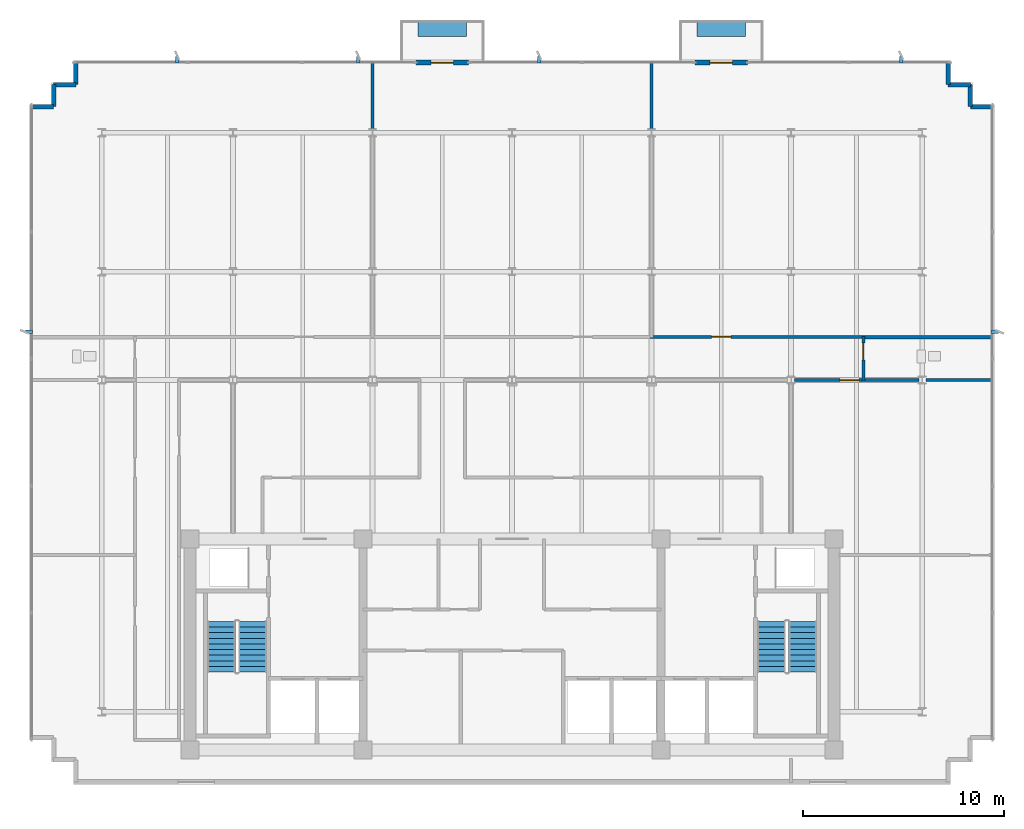
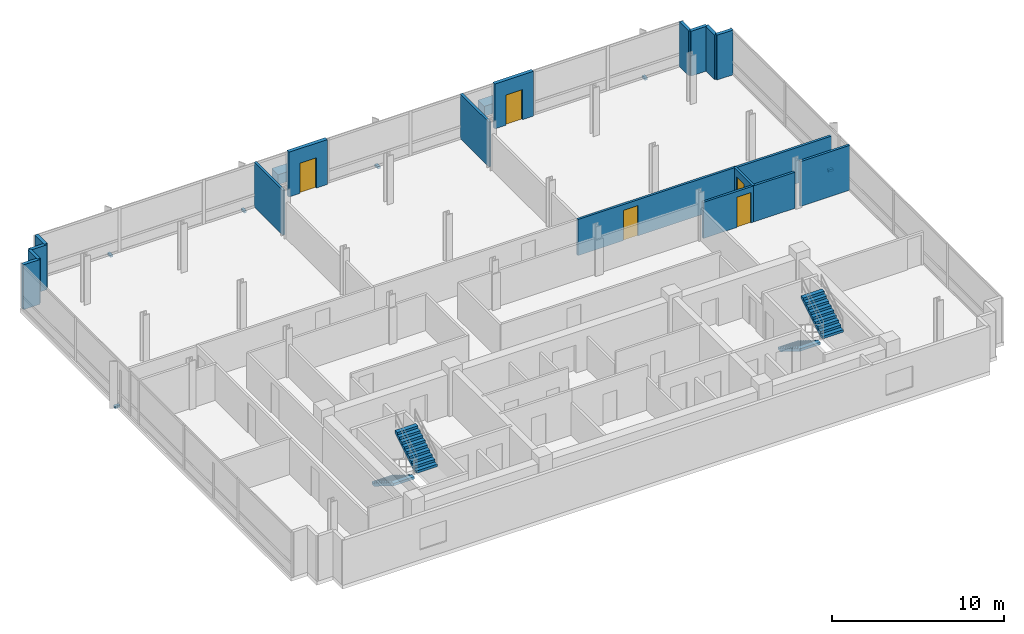
# One storey, part 10 of 13: 18 walls, 8 discrete accessories, 5 doors, 4 stair flights, 5 openings, 2 elements without a shape of their own.
"""IFC4 building model written with IfcOpenShell, lengths in metres."""

from ifc_helpers import new_model, si_unit, direction, frame, frame_2d, origin, origin_2d, place, context, subcontext, project, spatial, polyline, rectangle, outline, extrude, material, layer, layer_set, type_object, element, fill, aggregate, save


model = new_model("IFC4")

# Units and contexts
model_context = context("Model", 3, precision=1e-05, world=origin(), true_north=direction((0.0, 1.0)))
body_context = subcontext(model_context, "Body", "Model", "MODEL_VIEW")
ifc_project = project(units=[si_unit("LENGTHUNIT", "METRE"), si_unit("AREAUNIT", "SQUARE_METRE"), si_unit("VOLUMEUNIT", "CUBIC_METRE"), si_unit("PLANEANGLEUNIT", "RADIAN"), si_unit("MASSUNIT", "GRAM", prefix="KILO")], contexts=[model_context])

# Site, building, storey
site_placement = place(None, origin())
site = spatial("IfcSite", under=ifc_project, at=site_placement, CompositionType="ELEMENT")
building_placement = place(site_placement, origin())
building = spatial("IfcBuilding", under=site, at=building_placement, Name="Solmavex Isthmus Hotel", CompositionType="ELEMENT")
storey_placement = place(building_placement, frame((0.0, 0.0, 276.449951171875)))
storey = spatial("IfcBuildingStorey", under=building, at=storey_placement, Name="L75", CompositionType="ELEMENT", Elevation=276.449951171875)

# Wall, opening, door
ifc_material_1 = material(Name="Precast Concrete C40/50", Category="concrete")
ifc_layer_1 = layer(ifc_material_1, 0.25)
ifc_layer_set_1 = layer_set([ifc_layer_1], Name="Precast Concrete C40/50")
wall_type_1 = type_object("IfcWallType", Name="EW-TWR-250", PredefinedType="STANDARD", material=ifc_layer_set_1)
wall_1_placement = place(storey_placement, frame((-4.76806640625, 21.179931640625, 0.0), z_axis=(0.0, 0.0, 1.0), x_axis=(1.0, 0.0, 0.0)))
wall_1 = element("IfcWall", 1, at=wall_1_placement, inside=storey, type_object=wall_type_1, Name="Exterior Balcony Door Wall L75-2", PredefinedType="STANDARD", context=body_context, shape_type="SweptSolid", body=[
    extrude(rectangle(XDim=2.60009765625, YDim=0.239990234375, at=frame_2d((1.300048828125, 0.0))), origin(), (0.0, 0.0, 1.0), 3.18994140625),
])
opening_1_placement = place(wall_1_placement, frame((0.75, 0.0, 0.0)))
opening_1 = element("IfcOpeningElement", 2, at=opening_1_placement, cuts=wall_1, Name="Opening ED-02", PredefinedType="OPENING", context=body_context, shape_type="SweptSolid", body=[
    extrude(rectangle(XDim=1.10009765625, YDim=2.14990234375, at=frame_2d((0.550048828125, 1.074951171875))), frame((0.0, 0.1298828125, 0.0), z_axis=(0.0, -1.0, 0.0), x_axis=(1.0, 0.0, 0.0)), (0.0, 0.0, 1.0), 0.260009765625),
])
ifc_material_2 = material(Name="Aluminium alloy 6063-T6", Category="aluminium")
door_type_1 = type_object("IfcDoorType", Name="EDR-BALC-1100", OperationType="NOTDEFINED", PredefinedType="DOOR", material=ifc_material_2)
door_1_placement = place(opening_1_placement, origin())
door_1 = element("IfcDoor", 3, at=door_1_placement, inside=storey, type_object=door_type_1, Name="Balcony & Terrace Glazed Door L75-2", OperationType="SINGLE_SWING_RIGHT", OverallHeight=2.14990234375, OverallWidth=1.10009765625, PredefinedType="DOOR", context=body_context, shape_type="SweptSolid", body=[
    extrude(rectangle(XDim=1.10009765625, YDim=2.14990234375, at=frame_2d((0.550048828125, 1.074951171875))), frame((0.0, 0.02490234375, 0.0), z_axis=(0.0, -1.0, 0.0), x_axis=(1.0, 0.0, 0.0)), (0.0, 0.0, 1.0), 0.050048828125),
])
fill(opening_1, door_1)

wall_2_placement = place(storey_placement, frame((9.10400390625, 21.179931640625, 0.0), z_axis=(0.0, 0.0, 1.0), x_axis=(1.0, 0.0, 0.0)))
wall_2 = element("IfcWall", 4, at=wall_2_placement, inside=storey, type_object=wall_type_1, Name="Exterior Balcony Door Wall L75-3", PredefinedType="STANDARD", context=body_context, shape_type="SweptSolid", body=[
    extrude(rectangle(XDim=2.60009765625, YDim=0.239990234375, at=frame_2d((1.300048828125, 0.0))), origin(), (0.0, 0.0, 1.0), 3.18994140625),
])
opening_2_placement = place(wall_2_placement, frame((0.75, 0.0, 0.0)))
opening_2 = element("IfcOpeningElement", 5, at=opening_2_placement, cuts=wall_2, Name="Opening ED-02", PredefinedType="OPENING", context=body_context, shape_type="SweptSolid", body=[
    extrude(rectangle(XDim=1.10009765625, YDim=2.14990234375, at=frame_2d((0.550048828125, 1.074951171875))), frame((0.0, 0.1298828125, 0.0), z_axis=(0.0, -1.0, 0.0), x_axis=(1.0, 0.0, 0.0)), (0.0, 0.0, 1.0), 0.260009765625),
])
door_2_placement = place(opening_2_placement, origin())
door_2 = element("IfcDoor", 6, at=door_2_placement, inside=storey, type_object=door_type_1, Name="Balcony & Terrace Glazed Door L75-3", OperationType="SINGLE_SWING_LEFT", OverallHeight=2.14990234375, OverallWidth=1.10009765625, PredefinedType="DOOR", context=body_context, shape_type="SweptSolid", body=[
    extrude(rectangle(XDim=1.10009765625, YDim=2.14990234375, at=frame_2d((0.550048828125, 1.074951171875))), frame((0.0, 0.02490234375, 0.0), z_axis=(0.0, -1.0, 0.0), x_axis=(1.0, 0.0, 0.0)), (0.0, 0.0, 1.0), 0.050048828125),
])
fill(opening_2, door_2)

# Walls
wall_3_placement = place(storey_placement, frame((-23.889892578125, 18.989990234375, 0.0), z_axis=(0.0, 0.0, 1.0), x_axis=(1.0, 0.0, 0.0)))
element("IfcWall", 7, at=wall_3_placement, inside=storey, type_object=wall_type_1, Name="Serrated Corner Facade Panel L75-06", PredefinedType="STANDARD", context=body_context, shape_type="SweptSolid", body=[
    extrude(rectangle(XDim=1.099853515625, YDim=0.219970703125, at=frame_2d((0.5498046875, 0.0))), origin(), (0.0, 0.0, 1.0), 3.18994140625),
])
for number, where, z_axis, x_axis, name in (
    (8, (-22.7900390625, 18.989990234375, 0.0), (0.0, 0.0, 1.0), (0.0, 1.0, 0.0), "Serrated Corner Facade Panel L75-07"),
    (9, (-22.7900390625, 20.090087890625, 0.0), (0.0, 0.0, 1.0), (1.0, 0.0, 0.0), "Serrated Corner Facade Panel L75-08"),
):
    element("IfcWall", number, at=place(storey_placement, frame(where, z_axis=z_axis, x_axis=x_axis)), inside=storey, type_object=wall_type_1, Name=name, PredefinedType="STANDARD", context=body_context, shape_type="SweptSolid", body=[
        extrude(rectangle(XDim=1.10009765625, YDim=0.219970703125, at=frame_2d((0.550048828125, 0.0))), origin(), (0.0, 0.0, 1.0), 3.18994140625),
    ])
for number, where, z_axis, x_axis, name in (
    (10, (-21.68994140625, 20.090087890625, 0.0), (0.0, 0.0, 1.0), (0.0, 1.0, 0.0), "Serrated Corner Facade Panel L75-09"),
    (11, (21.68994140625, 21.18994140625, 0.0), (0.0, 0.0, 1.0), (0.0, -1.0, 0.0), "Serrated Corner Facade Panel L75-11"),
):
    element("IfcWall", number, at=place(storey_placement, frame(where, z_axis=z_axis, x_axis=x_axis)), inside=storey, type_object=wall_type_1, Name=name, PredefinedType="STANDARD", context=body_context, shape_type="SweptSolid", body=[
        extrude(rectangle(XDim=1.099853515625, YDim=0.219970703125, at=frame_2d((0.5498046875, 0.0))), origin(), (0.0, 0.0, 1.0), 3.18994140625),
    ])
for number, where, z_axis, x_axis, name in (
    (12, (21.68994140625, 20.090087890625, 0.0), (0.0, 0.0, 1.0), (1.0, 0.0, 0.0), "Serrated Corner Facade Panel L75-12"),
    (13, (22.7900390625, 20.090087890625, 0.0), (0.0, 0.0, 1.0), (0.0, -1.0, 0.0), "Serrated Corner Facade Panel L75-13"),
):
    element("IfcWall", number, at=place(storey_placement, frame(where, z_axis=z_axis, x_axis=x_axis)), inside=storey, type_object=wall_type_1, Name=name, PredefinedType="STANDARD", context=body_context, shape_type="SweptSolid", body=[
        extrude(rectangle(XDim=1.10009765625, YDim=0.219970703125, at=frame_2d((0.550048828125, 0.0))), origin(), (0.0, 0.0, 1.0), 3.18994140625),
    ])
wall_4_placement = place(storey_placement, frame((22.7900390625, 18.989990234375, 0.0), z_axis=(0.0, 0.0, 1.0), x_axis=(1.0, 0.0, 0.0)))
element("IfcWall", 14, at=wall_4_placement, inside=storey, type_object=wall_type_1, Name="Serrated Corner Facade Panel L75-14", PredefinedType="STANDARD", context=body_context, shape_type="SweptSolid", body=[
    extrude(rectangle(XDim=1.099853515625, YDim=0.219970703125, at=frame_2d((0.5498046875, 0.0))), origin(), (0.0, 0.0, 1.0), 3.18994140625),
])
ifc_material_3 = material(Name="Gypsum plasterboard lining", Category="gypsum")
ifc_layer_2 = layer(ifc_material_3, 0.159912109375)
ifc_layer_set_2 = layer_set([ifc_layer_2], Name="Gypsum plasterboard lining")
wall_type_2 = type_object("IfcWallType", Name="IW-COMP-160", PredefinedType="PARTITIONING", material=ifc_layer_set_2)
for number, where, z_axis, x_axis, name in (
    (15, (-6.93603515625, 21.219970703125, 0.0), (0.0, 0.0, 1.0), (0.0, -1.0, 0.0), "Interior Partition Wall W-L75-P029"),
    (16, (6.93603515625, 21.219970703125, 0.0), (0.0, 0.0, 1.0), (0.0, -1.0, 0.0), "Interior Partition Wall W-L75-P033"),
):
    element("IfcWall", number, at=place(storey_placement, frame(where, z_axis=z_axis, x_axis=x_axis)), inside=storey, type_object=wall_type_2, Name=name, PredefinedType="PARTITIONING", context=body_context, shape_type="SweptSolid", body=[
        extrude(rectangle(XDim=3.344970703125, YDim=0.159912109375, at=frame_2d((1.67236328125, 0.0))), origin(), (0.0, 0.0, 1.0), 3.18994140625),
    ])
wall_5_placement = place(storey_placement, frame((23.919921875, 7.530029296875, 0.0), z_axis=(0.0, 0.0, 1.0), x_axis=(-1.0, 0.0, 0.0)))
element("IfcWall", 17, at=wall_5_placement, inside=storey, type_object=wall_type_2, Name="Interior Partition Wall W-L75-P034", PredefinedType="PARTITIONING", context=body_context, shape_type="SweptSolid", body=[
    extrude(rectangle(XDim=6.488037109375, YDim=0.159912109375, at=frame_2d((3.244140625, 0.0))), origin(), (0.0, 0.0, 1.0), 2.5576171875),
])
wall_6_placement = place(storey_placement, frame((20.22509765625, 5.39990234375, 0.0), z_axis=(0.0, 0.0, 1.0), x_axis=(-1.0, 0.0, 0.0)))
element("IfcWall", 18, at=wall_6_placement, inside=storey, type_object=wall_type_2, Name="Interior Partition Wall W-L75-P037", PredefinedType="PARTITIONING", context=body_context, shape_type="SweptSolid", body=[
    extrude(rectangle(XDim=2.793212890625, YDim=0.159912109375, at=frame_2d((1.396484375, 0.0))), origin(), (0.0, 0.0, 1.0), 2.572265625),
])
wall_7_placement = place(storey_placement, frame((23.919921875, 5.39990234375, 0.0), z_axis=(0.0, 0.0, 1.0), x_axis=(-1.0, 0.0, 0.0)))
element("IfcWall", 19, at=wall_7_placement, inside=storey, type_object=wall_type_2, Name="Interior Partition Wall W-L75-P038", PredefinedType="PARTITIONING", context=body_context, shape_type="SweptSolid", body=[
    extrude(rectangle(XDim=3.344970703125, YDim=0.159912109375, at=frame_2d((1.67236328125, 0.0))), origin(), (0.0, 0.0, 1.0), 3.18994140625),
])

# Wall, opening, door
ifc_layer_3 = layer(ifc_material_3, 0.14990234375)
ifc_layer_set_3 = layer_set([ifc_layer_3], Name="Gypsum plasterboard lining")
wall_type_3 = type_object("IfcWallType", Name="IW-CORR-150", PredefinedType="PARTITIONING", material=ifc_layer_set_3)
wall_8_placement = place(storey_placement, frame((6.85400390625, 7.550048828125, 0.0), z_axis=(0.0, 0.0, 1.0), x_axis=(1.0, 0.0, 0.0)))
wall_8 = element("IfcWall", 20, at=wall_8_placement, inside=storey, type_object=wall_type_3, Name="Interior Partition Wall W-L75-P003", PredefinedType="PARTITIONING", context=body_context, shape_type="SweptSolid", body=[
    extrude(rectangle(XDim=10.657958984375, YDim=0.14990234375, at=frame_2d((5.3291015625, 0.0))), origin(), (0.0, 0.0, 1.0), 2.572265625),
])
opening_3_placement = place(wall_8_placement, frame((3.076904296875, 0.0, 0.0)))
opening_3 = element("IfcOpeningElement", 21, at=opening_3_placement, cuts=wall_8, Name="Opening ID-C095", PredefinedType="OPENING", context=body_context, shape_type="SweptSolid", body=[
    extrude(rectangle(XDim=0.949951171875, YDim=2.14990234375, at=frame_2d((0.47509765625, 1.074951171875))), frame((0.0, 0.0849609375, 0.0), z_axis=(0.0, -1.0, 0.0), x_axis=(1.0, 0.0, 0.0)), (0.0, 0.0, 1.0), 0.169921875),
])
ifc_material_4 = material(Name="Hardwood timber", Category="wood")
door_type_2 = type_object("IfcDoorType", Name="IDR-FD60-0950", OperationType="NOTDEFINED", PredefinedType="DOOR", material=ifc_material_4)
door_3_placement = place(opening_3_placement, origin())
door_3 = element("IfcDoor", 22, at=door_3_placement, inside=storey, type_object=door_type_2, Name="Corporate Briefing Office Door L75-03", OperationType="SINGLE_SWING_LEFT", OverallHeight=2.14990234375, OverallWidth=0.949951171875, PredefinedType="DOOR", context=body_context, shape_type="SweptSolid", body=[
    extrude(rectangle(XDim=0.949951171875, YDim=2.14990234375, at=frame_2d((0.47509765625, 1.074951171875))), frame((0.0, 0.02490234375, 0.0), z_axis=(0.0, -1.0, 0.0), x_axis=(1.0, 0.0, 0.0)), (0.0, 0.0, 1.0), 0.050048828125),
])
fill(opening_3, door_3)

wall_9_placement = place(storey_placement, frame((17.471923828125, 7.570068359375, 0.0), z_axis=(0.0, 0.0, 1.0), x_axis=(0.0, -1.0, 0.0)))
wall_9 = element("IfcWall", 23, at=wall_9_placement, inside=storey, type_object=wall_type_3, Name="Interior Partition Wall W-L75-P005", PredefinedType="PARTITIONING", context=body_context, shape_type="SweptSolid", body=[
    extrude(rectangle(XDim=2.2099609375, YDim=0.14990234375, at=frame_2d((1.10498046875, 0.0))), origin(), (0.0, 0.0, 1.0), 2.572265625),
])
opening_4_placement = place(wall_9_placement, frame((0.322265625, 0.0, 0.0)))
opening_4 = element("IfcOpeningElement", 24, at=opening_4_placement, cuts=wall_9, Name="Opening ID-R085", PredefinedType="OPENING", context=body_context, shape_type="SweptSolid", body=[
    extrude(rectangle(XDim=0.85009765625, YDim=2.050048828125, at=frame_2d((0.425048828125, 1.02490234375))), frame((0.0, 0.0849609375, 0.0), z_axis=(0.0, -1.0, 0.0), x_axis=(1.0, 0.0, 0.0)), (0.0, 0.0, 1.0), 0.169921875),
])
ifc_material_5 = material(Name="Steel ASTM A500 Grade C", Category="steel")
door_type_3 = type_object("IfcDoorType", Name="IDR-FD60-0850", OperationType="NOTDEFINED", PredefinedType="DOOR", material=ifc_material_5)
door_4_placement = place(opening_4_placement, frame((0.85009765625, 0.0, 0.0), z_axis=(0.0, 0.0, 1.0), x_axis=(-1.0, 0.0, 0.0)))
door_4 = element("IfcDoor", 25, at=door_4_placement, inside=storey, type_object=door_type_3, Name="Public Restroom WC Door L75-05", OperationType="SINGLE_SWING_LEFT", OverallHeight=2.050048828125, OverallWidth=0.85009765625, PredefinedType="DOOR", context=body_context, shape_type="SweptSolid", body=[
    extrude(rectangle(XDim=0.85009765625, YDim=2.050048828125, at=frame_2d((0.425048828125, 1.02490234375))), frame((0.0, 0.02490234375, 0.0), z_axis=(0.0, -1.0, 0.0), x_axis=(1.0, 0.0, 0.0)), (0.0, 0.0, 1.0), 0.050048828125),
])
fill(opening_4, door_4)

wall_10_placement = place(storey_placement, frame((17.511962890625, 5.39990234375, 0.0), z_axis=(0.0, 0.0, 1.0), x_axis=(-1.0, 0.0, 0.0)))
wall_10 = element("IfcWall", 26, at=wall_10_placement, inside=storey, type_object=wall_type_3, Name="Interior Partition Wall W-L75-P023", PredefinedType="PARTITIONING", context=body_context, shape_type="SweptSolid", body=[
    extrude(rectangle(XDim=3.46484375, YDim=0.14990234375, at=frame_2d((1.732421875, 0.0))), origin(), (0.0, 0.0, 1.0), 2.572265625),
])
opening_5_placement = place(wall_10_placement, frame((0.26220703125, 0.0, 0.0)))
opening_5 = element("IfcOpeningElement", 27, at=opening_5_placement, cuts=wall_10, Name="Opening ID-C095", PredefinedType="OPENING", context=body_context, shape_type="SweptSolid", body=[
    extrude(rectangle(XDim=0.949951171875, YDim=2.14990234375, at=frame_2d((0.47509765625, 1.074951171875))), frame((0.0, 0.0849609375, 0.0), z_axis=(0.0, -1.0, 0.0), x_axis=(1.0, 0.0, 0.0)), (0.0, 0.0, 1.0), 0.169921875),
])
door_5_placement = place(opening_5_placement, origin())
door_5 = element("IfcDoor", 28, at=door_5_placement, inside=storey, type_object=door_type_2, Name="Catering Servery Kitchen Door L75-10", OperationType="SINGLE_SWING_RIGHT", OverallHeight=2.14990234375, OverallWidth=0.949951171875, PredefinedType="DOOR", context=body_context, shape_type="SweptSolid", body=[
    extrude(rectangle(XDim=0.949951171875, YDim=2.14990234375, at=frame_2d((0.47509765625, 1.074951171875))), frame((0.0, 0.02490234375, 0.0), z_axis=(0.0, -1.0, 0.0), x_axis=(1.0, 0.0, 0.0)), (0.0, 0.0, 1.0), 0.050048828125),
])
fill(opening_5, door_5)

# Stair, stair flights
ifc_material_6 = material(Name="Concrete C40/50", Category="concrete")
stair_type_1 = type_object("IfcStairType", Name="STR-ST-1", PredefinedType="HALF_TURN_STAIR", material=ifc_material_6)
stair_1_placement = place(storey_placement, origin())
stair_1 = element("IfcStair", 29, at=stair_1_placement, inside=storey, type_object=stair_type_1, Name="L75 Protected Exit Stair ST-1", PredefinedType="HALF_TURN_STAIR")
stair_flight_type_1 = type_object("IfcStairFlightType", Name="SFL-ST-1", PredefinedType="STRAIGHT", material=ifc_material_6)
stair_flight_1_placement = place(storey_placement, frame((-14.449951171875, -6.60009765625, 0.0), z_axis=(0.0, 0.0, 1.0), x_axis=(0.0, -1.0, 0.0)))
stair_flight_1 = element("IfcStairFlight", 30, at=stair_flight_1_placement, type_object=stair_flight_type_1, Name="ST-1 flight 1", NumberOfRisers=10, NumberOfTreads=9, PredefinedType="STRAIGHT", RiserHeight=0.1725, TreadLength=0.28, context=body_context, shape_type="SweptSolid", body=[
    extrude(outline(polyline([(0.0, 0.0), (0.0, 0.172607421875), (0.280029296875, 0.172607421875), (0.280029296875, 0.344970703125), (0.56005859375, 0.344970703125), (0.56005859375, 0.517578125), (0.840087890625, 0.517578125), (0.840087890625, 0.68994140625), (1.1201171875, 0.68994140625), (1.1201171875, 0.862548828125), (1.39990234375, 0.862548828125), (1.39990234375, 1.034912109375), (1.679931640625, 1.034912109375), (1.679931640625, 1.20751953125), (1.9599609375, 1.20751953125), (1.9599609375, 1.3798828125), (2.239990234375, 1.3798828125), (2.239990234375, 1.552490234375), (2.52001953125, 1.552490234375), (2.52001953125, 1.72509765625), (2.52001953125, 1.37646484375), (0.285888671875, 0.0), (0.0, 0.0)])), frame((0.0, 0.699951171875, 0.0), z_axis=(0.0, -1.0, 0.0), x_axis=(1.0, 0.0, 0.0)), (0.0, 0.0, 1.0), 1.39990234375),
])
stair_flight_2_placement = place(storey_placement, frame((-12.89990234375, -9.1201171875, 1.72509765625), z_axis=(0.0, 0.0, 1.0), x_axis=(0.0, 1.0, 0.0)))
stair_flight_2 = element("IfcStairFlight", 31, at=stair_flight_2_placement, type_object=stair_flight_type_1, Name="ST-1 flight 2", NumberOfRisers=10, NumberOfTreads=9, PredefinedType="STRAIGHT", RiserHeight=0.1725, TreadLength=0.28, context=body_context, shape_type="SweptSolid", body=[
    extrude(outline(polyline([(0.0, 0.0), (0.0, 0.172607421875), (0.280029296875, 0.172607421875), (0.280029296875, 0.344970703125), (0.56005859375, 0.344970703125), (0.56005859375, 0.517578125), (0.840087890625, 0.517578125), (0.840087890625, 0.68994140625), (1.1201171875, 0.68994140625), (1.1201171875, 0.862548828125), (1.39990234375, 0.862548828125), (1.39990234375, 1.034912109375), (1.679931640625, 1.034912109375), (1.679931640625, 1.20751953125), (1.9599609375, 1.20751953125), (1.9599609375, 1.3798828125), (2.239990234375, 1.3798828125), (2.239990234375, 1.552490234375), (2.52001953125, 1.552490234375), (2.52001953125, 1.72509765625), (2.52001953125, 1.37646484375), (0.285888671875, 0.0), (0.0, 0.0)])), frame((0.0, 0.699951171875, 0.0), z_axis=(0.0, -1.0, 0.0), x_axis=(1.0, 0.0, 0.0)), (0.0, 0.0, 1.0), 1.39990234375),
])
aggregate(stair_1, [stair_flight_1, stair_flight_2])

stair_type_2 = type_object("IfcStairType", Name="STR-ST-2", PredefinedType="HALF_TURN_STAIR", material=ifc_material_6)
stair_2_placement = place(storey_placement, origin())
stair_2 = element("IfcStair", 32, at=stair_2_placement, inside=storey, type_object=stair_type_2, Name="L75 Protected Exit Stair ST-2", PredefinedType="HALF_TURN_STAIR")
stair_flight_type_2 = type_object("IfcStairFlightType", Name="SFL-ST-2", PredefinedType="STRAIGHT", material=ifc_material_6)
stair_flight_3_placement = place(storey_placement, frame((12.89990234375, -6.60009765625, 0.0), z_axis=(0.0, 0.0, 1.0), x_axis=(0.0, -1.0, 0.0)))
stair_flight_3 = element("IfcStairFlight", 33, at=stair_flight_3_placement, type_object=stair_flight_type_2, Name="ST-2 flight 1", NumberOfRisers=10, NumberOfTreads=9, PredefinedType="STRAIGHT", RiserHeight=0.1725, TreadLength=0.28, context=body_context, shape_type="SweptSolid", body=[
    extrude(outline(polyline([(0.0, 0.0), (0.0, 0.172607421875), (0.280029296875, 0.172607421875), (0.280029296875, 0.344970703125), (0.56005859375, 0.344970703125), (0.56005859375, 0.517578125), (0.840087890625, 0.517578125), (0.840087890625, 0.68994140625), (1.1201171875, 0.68994140625), (1.1201171875, 0.862548828125), (1.39990234375, 0.862548828125), (1.39990234375, 1.034912109375), (1.679931640625, 1.034912109375), (1.679931640625, 1.20751953125), (1.9599609375, 1.20751953125), (1.9599609375, 1.3798828125), (2.239990234375, 1.3798828125), (2.239990234375, 1.552490234375), (2.52001953125, 1.552490234375), (2.52001953125, 1.72509765625), (2.52001953125, 1.37646484375), (0.285888671875, 0.0), (0.0, 0.0)])), frame((0.0, 0.699951171875, 0.0), z_axis=(0.0, -1.0, 0.0), x_axis=(1.0, 0.0, 0.0)), (0.0, 0.0, 1.0), 1.39990234375),
])
stair_flight_4_placement = place(storey_placement, frame((14.449951171875, -9.1201171875, 1.72509765625), z_axis=(0.0, 0.0, 1.0), x_axis=(0.0, 1.0, 0.0)))
stair_flight_4 = element("IfcStairFlight", 34, at=stair_flight_4_placement, type_object=stair_flight_type_2, Name="ST-2 flight 2", NumberOfRisers=10, NumberOfTreads=9, PredefinedType="STRAIGHT", RiserHeight=0.1725, TreadLength=0.28, context=body_context, shape_type="SweptSolid", body=[
    extrude(outline(polyline([(0.0, 0.0), (0.0, 0.172607421875), (0.280029296875, 0.172607421875), (0.280029296875, 0.344970703125), (0.56005859375, 0.344970703125), (0.56005859375, 0.517578125), (0.840087890625, 0.517578125), (0.840087890625, 0.68994140625), (1.1201171875, 0.68994140625), (1.1201171875, 0.862548828125), (1.39990234375, 0.862548828125), (1.39990234375, 1.034912109375), (1.679931640625, 1.034912109375), (1.679931640625, 1.20751953125), (1.9599609375, 1.20751953125), (1.9599609375, 1.3798828125), (2.239990234375, 1.3798828125), (2.239990234375, 1.552490234375), (2.52001953125, 1.552490234375), (2.52001953125, 1.72509765625), (2.52001953125, 1.37646484375), (0.285888671875, 0.0), (0.0, 0.0)])), frame((0.0, 0.699951171875, 0.0), z_axis=(0.0, -1.0, 0.0), x_axis=(1.0, 0.0, 0.0)), (0.0, 0.0, 1.0), 1.39990234375),
])
aggregate(stair_2, [stair_flight_3, stair_flight_4])

# Discrete accessories
ifc_material_7 = material(Name="Steel ASTM A572 Grade 50", Category="steel")
discrete_accessory_type_1 = type_object("IfcDiscreteAccessoryType", Name="ACC-BRK-FIN", PredefinedType="BRACKET", material=ifc_material_7)
for number, where, z_axis, x_axis, name in (
    (35, (-16.64990234375, 21.320068359375, -0.169921875), (0.0, 0.0, 1.0), (0.0, 1.0, 0.0), "Facade Fin Support Bracket L75-N1"),
    (36, (-7.64990234375, 21.320068359375, -0.169921875), (0.0, 0.0, 1.0), (0.0, 1.0, 0.0), "Facade Fin Support Bracket L75-N2"),
    (37, (1.35009765625, 21.320068359375, -0.169921875), (0.0, 0.0, 1.0), (0.0, 1.0, 0.0), "Facade Fin Support Bracket L75-N3"),
    (38, (19.35009765625, 21.320068359375, -0.169921875), (0.0, 0.0, 1.0), (0.0, 1.0, 0.0), "Facade Fin Support Bracket L75-N4"),
    (39, (-24.02001953125, 7.800048828125, -0.169921875), (0.0, 0.0, 1.0), (-1.0, 0.0, 0.0), "Facade Fin Support Bracket L75-W1"),
    (40, (24.02001953125, 7.800048828125, -0.169921875), (0.0, 0.0, 1.0), (1.0, 0.0, 0.0), "Facade Fin Support Bracket L75-E1"),
):
    element("IfcDiscreteAccessory", number, at=place(storey_placement, frame(where, z_axis=z_axis, x_axis=x_axis)), inside=storey, type_object=discrete_accessory_type_1, Name=name, PredefinedType="BRACKET", context=body_context, shape_type="SweptSolid", body=[
        extrude(rectangle(XDim=0.340087890625, YDim=0.179931640625, at=origin_2d()), origin(), (0.0, 0.0, 1.0), 0.159912109375),
    ])
discrete_accessory_type_2 = type_object("IfcDiscreteAccessoryType", Name="ACC-PLN-BALC", PredefinedType="USERDEFINED", material=ifc_material_1)
for number, where, z_axis, x_axis, name in (
    (41, (-3.468017578125, 22.85009765625, 0.0), (0.0, 0.0, 1.0), (1.0, 0.0, 0.0), "Tree-Balcony Architectural Planter L75-B1"),
    (42, (10.404052734375, 22.85009765625, 0.0), (0.0, 0.0, 1.0), (1.0, 0.0, 0.0), "Tree-Balcony Architectural Planter L75-B2"),
):
    element("IfcDiscreteAccessory", number, at=place(storey_placement, frame(where, z_axis=z_axis, x_axis=x_axis)), inside=storey, type_object=discrete_accessory_type_2, Name=name, ObjectType="PLANTER", PredefinedType="USERDEFINED", context=body_context, shape_type="SweptSolid", body=[
        extrude(rectangle(XDim=2.39990234375, YDim=0.75, at=origin_2d()), origin(), (0.0, 0.0, 1.0), 0.699951171875),
    ])

save(model, "model.ifc")
